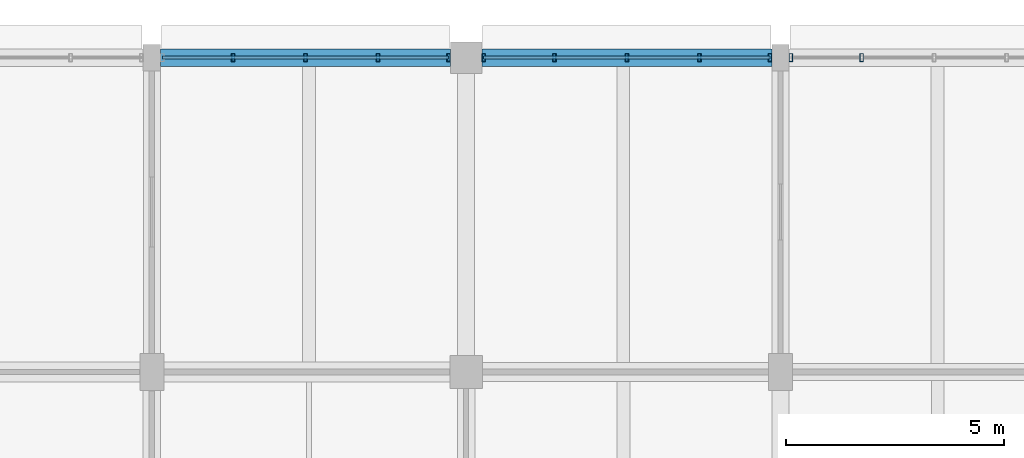
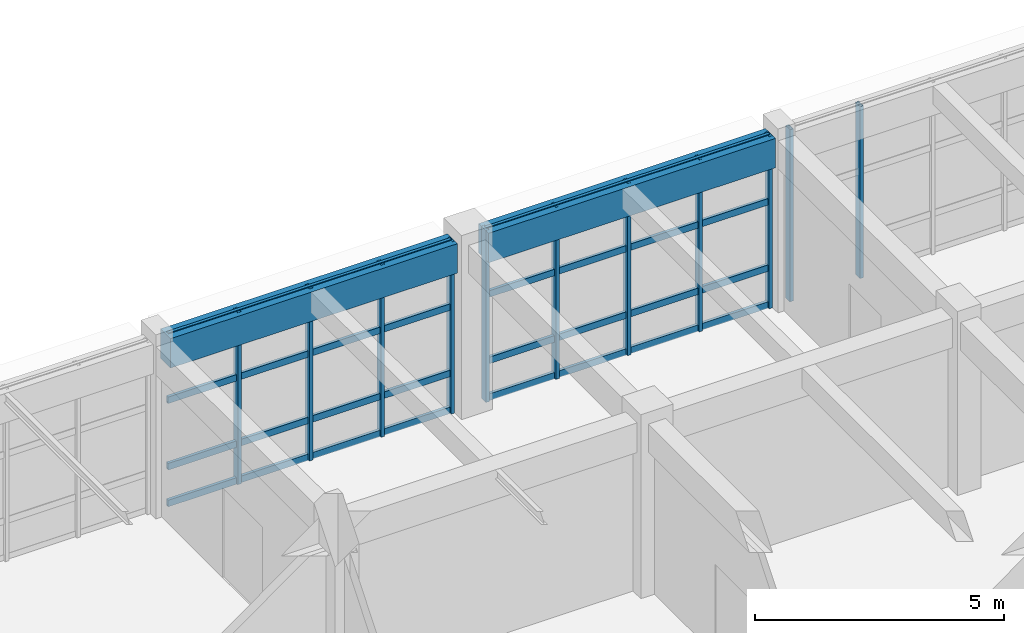
# One storey, part 66 of 171: 19 members, 2 beams, 3 elements without a shape of their own.
"""IFC4 building model written with IfcOpenShell, lengths in metres."""

from ifc_helpers import new_model, si_unit, direction, frame, origin, origin_2d, place, context, subcontext, project, spatial, rectangle, hollow_rectangle, extrude, material, material_profile, profile_set, type_object, element, aggregate, save


model = new_model("IFC4")

# Units and contexts
model_context = context("Model", 3, precision=1e-05, world=origin(), true_north=direction((0.0, 1.0)))
body_context = subcontext(model_context, "Body", "Model", "MODEL_VIEW")
ifc_project = project(units=[si_unit("LENGTHUNIT", "METRE"), si_unit("AREAUNIT", "SQUARE_METRE"), si_unit("VOLUMEUNIT", "CUBIC_METRE"), si_unit("PLANEANGLEUNIT", "RADIAN"), si_unit("MASSUNIT", "GRAM", prefix="KILO")], contexts=[model_context])

# Site, building, storey
site_placement = place(None, origin())
site = spatial("IfcSite", under=ifc_project, at=site_placement, CompositionType="ELEMENT")
building_placement = place(site_placement, origin())
building = spatial("IfcBuilding", under=site, at=building_placement, Name="Thalmaran Polytechnic", CompositionType="ELEMENT")
storey_placement = place(building_placement, frame((0.0, 0.0, 5.39990234375)))
storey = spatial("IfcBuildingStorey", under=building, at=storey_placement, Name="L01", CompositionType="ELEMENT", Elevation=5.39990234375)

# Beams
ifc_material_1 = material(Name="Concrete C40/50", Category="concrete")
ifc_material_profile_1 = material_profile(ifc_material_1, rectangle(XDim=0.39990234375, YDim=0.719970703125, at=origin_2d()), Name="RC 400x720")
ifc_profile_set_1 = profile_set([ifc_material_profile_1], Name="Concrete C40/50")
beam_type = type_object("IfcBeamType", Name="BM-SP01", PredefinedType="SPANDREL", material=ifc_profile_set_1)
beam_1_placement = place(storey_placement, frame((14.60009765625, 122.39990234375, 3.85009765625), z_axis=(1.0, 0.0, 0.0), x_axis=(0.0, 1.0, 0.0)))
element("IfcBeam", 1, at=beam_1_placement, inside=storey, type_object=beam_type, Name="Grid Beam SP01 L01 X(2,17)", PredefinedType="SPANDREL", context=body_context, shape_type="SweptSolid", body=[
    extrude(rectangle(XDim=0.39990234375, YDim=0.719970703125, at=origin_2d()), origin(), (0.0, 0.0, 1.0), 6.639892578125),
])
beam_2_placement = place(storey_placement, frame((21.9599609375, 122.39990234375, 3.85009765625), z_axis=(1.0, 0.0, 0.0), x_axis=(0.0, 1.0, 0.0)))
element("IfcBeam", 2, at=beam_2_placement, inside=storey, type_object=beam_type, Name="Grid Beam SP01 L01 X(3,17)", PredefinedType="SPANDREL", context=body_context, shape_type="SweptSolid", body=[
    extrude(rectangle(XDim=0.39990234375, YDim=0.719970703125, at=origin_2d()), origin(), (0.0, 0.0, 1.0), 6.64013671875),
])

# Curtain wall, members
ifc_material_2 = material(Name="Aluminium 6063-T6", Category="aluminium")
curtain_wall_type = type_object("IfcCurtainWallType", Name="CW-UC02", PredefinedType="USERDEFINED", material=ifc_material_2)
curtain_wall_1_placement = place(storey_placement, origin())
curtain_wall_1 = element("IfcCurtainWall", 3, at=curtain_wall_1_placement, inside=storey, type_object=curtain_wall_type, Name="Curtain Wall CW-L01-081", ObjectType="UNITISED CURTAIN WALL", PredefinedType="USERDEFINED")
ifc_material_profile_2 = material_profile(ifc_material_2, hollow_rectangle(XDim=0.080078125, YDim=0.179931640625, WallThickness=0.0048828125, at=origin_2d()), Name="RHS 180x80x5.0")
ifc_profile_set_2 = profile_set([ifc_material_profile_2], Name="Aluminium 6063-T6")
member_type_1 = type_object("IfcMemberType", Name="CW-MUL1", PredefinedType="MULLION", material=ifc_profile_set_2)
member_1_placement = place(storey_placement, frame((16.260009765625, 122.39990234375, 0.0), z_axis=(0.0, 0.0, 1.0), x_axis=(1.0, 0.0, 0.0)))
member_1 = element("IfcMember", 4, at=member_1_placement, type_object=member_type_1, Name="CW-L01-081 Mullion 2", PredefinedType="MULLION", context=body_context, shape_type="SweptSolid", body=[
    extrude(hollow_rectangle(XDim=0.080078125, YDim=0.179931640625, WallThickness=0.0048828125, at=origin_2d()), origin(), (0.0, 0.0, 1.0), 4.210205078125),
])
member_2_placement = place(storey_placement, frame((17.919921875, 122.39990234375, 0.0), z_axis=(0.0, 0.0, 1.0), x_axis=(1.0, 0.0, 0.0)))
member_2 = element("IfcMember", 5, at=member_2_placement, type_object=member_type_1, Name="CW-L01-081 Mullion 3", PredefinedType="MULLION", context=body_context, shape_type="SweptSolid", body=[
    extrude(hollow_rectangle(XDim=0.080078125, YDim=0.179931640625, WallThickness=0.0048828125, at=origin_2d()), origin(), (0.0, 0.0, 1.0), 4.210205078125),
])
member_3_placement = place(storey_placement, frame((19.580078125, 122.39990234375, 0.0), z_axis=(0.0, 0.0, 1.0), x_axis=(1.0, 0.0, 0.0)))
member_3 = element("IfcMember", 6, at=member_3_placement, type_object=member_type_1, Name="CW-L01-081 Mullion 4", PredefinedType="MULLION", context=body_context, shape_type="SweptSolid", body=[
    extrude(hollow_rectangle(XDim=0.080078125, YDim=0.179931640625, WallThickness=0.0048828125, at=origin_2d()), origin(), (0.0, 0.0, 1.0), 4.210205078125),
])
member_4_placement = place(storey_placement, frame((21.199951171875, 122.39990234375, 0.0), z_axis=(0.0, 0.0, 1.0), x_axis=(1.0, 0.0, 0.0)))
member_4 = element("IfcMember", 7, at=member_4_placement, type_object=member_type_1, Name="CW-L01-081 Mullion 5", PredefinedType="MULLION", context=body_context, shape_type="SweptSolid", body=[
    extrude(hollow_rectangle(XDim=0.080078125, YDim=0.179931640625, WallThickness=0.0048828125, at=origin_2d()), origin(), (0.0, 0.0, 1.0), 4.210205078125),
])

curtain_wall_2_placement = place(storey_placement, origin())
curtain_wall_2 = element("IfcCurtainWall", 8, at=curtain_wall_2_placement, inside=storey, type_object=curtain_wall_type, Name="Curtain Wall CW-L01-082", ObjectType="UNITISED CURTAIN WALL", PredefinedType="USERDEFINED")
member_5_placement = place(storey_placement, frame((22.0, 122.39990234375, 0.0), z_axis=(0.0, 0.0, 1.0), x_axis=(1.0, 0.0, 0.0)))
member_5 = element("IfcMember", 9, at=member_5_placement, type_object=member_type_1, Name="CW-L01-082 Mullion 1", PredefinedType="MULLION", context=body_context, shape_type="SweptSolid", body=[
    extrude(hollow_rectangle(XDim=0.080078125, YDim=0.179931640625, WallThickness=0.0048828125, at=origin_2d()), origin(), (0.0, 0.0, 1.0), 4.210205078125),
])
member_6_placement = place(storey_placement, frame((23.6201171875, 122.39990234375, 0.0), z_axis=(0.0, 0.0, 1.0), x_axis=(1.0, 0.0, 0.0)))
member_6 = element("IfcMember", 10, at=member_6_placement, type_object=member_type_1, Name="CW-L01-082 Mullion 2", PredefinedType="MULLION", context=body_context, shape_type="SweptSolid", body=[
    extrude(hollow_rectangle(XDim=0.080078125, YDim=0.179931640625, WallThickness=0.0048828125, at=origin_2d()), origin(), (0.0, 0.0, 1.0), 4.210205078125),
])
member_7_placement = place(storey_placement, frame((25.280029296875, 122.39990234375, 0.0), z_axis=(0.0, 0.0, 1.0), x_axis=(1.0, 0.0, 0.0)))
member_7 = element("IfcMember", 11, at=member_7_placement, type_object=member_type_1, Name="CW-L01-082 Mullion 3", PredefinedType="MULLION", context=body_context, shape_type="SweptSolid", body=[
    extrude(hollow_rectangle(XDim=0.080078125, YDim=0.179931640625, WallThickness=0.0048828125, at=origin_2d()), origin(), (0.0, 0.0, 1.0), 4.210205078125),
])
member_8_placement = place(storey_placement, frame((26.93994140625, 122.39990234375, 0.0), z_axis=(0.0, 0.0, 1.0), x_axis=(1.0, 0.0, 0.0)))
member_8 = element("IfcMember", 12, at=member_8_placement, type_object=member_type_1, Name="CW-L01-082 Mullion 4", PredefinedType="MULLION", context=body_context, shape_type="SweptSolid", body=[
    extrude(hollow_rectangle(XDim=0.080078125, YDim=0.179931640625, WallThickness=0.0048828125, at=origin_2d()), origin(), (0.0, 0.0, 1.0), 4.210205078125),
])
member_9_placement = place(storey_placement, frame((28.56005859375, 122.39990234375, 0.0), z_axis=(0.0, 0.0, 1.0), x_axis=(1.0, 0.0, 0.0)))
member_9 = element("IfcMember", 13, at=member_9_placement, type_object=member_type_1, Name="CW-L01-082 Mullion 5", PredefinedType="MULLION", context=body_context, shape_type="SweptSolid", body=[
    extrude(hollow_rectangle(XDim=0.080078125, YDim=0.179931640625, WallThickness=0.0048828125, at=origin_2d()), origin(), (0.0, 0.0, 1.0), 4.210205078125),
])

curtain_wall_3_placement = place(storey_placement, origin())
curtain_wall_3 = element("IfcCurtainWall", 14, at=curtain_wall_3_placement, inside=storey, type_object=curtain_wall_type, Name="Curtain Wall CW-L01-083", ObjectType="UNITISED CURTAIN WALL", PredefinedType="USERDEFINED")
member_10_placement = place(storey_placement, frame((29.0400390625, 122.39990234375, 0.0), z_axis=(0.0, 0.0, 1.0), x_axis=(1.0, 0.0, 0.0)))
member_10 = element("IfcMember", 15, at=member_10_placement, type_object=member_type_1, Name="CW-L01-083 Mullion 1", PredefinedType="MULLION", context=body_context, shape_type="SweptSolid", body=[
    extrude(hollow_rectangle(XDim=0.080078125, YDim=0.179931640625, WallThickness=0.0048828125, at=origin_2d()), origin(), (0.0, 0.0, 1.0), 4.210205078125),
])
member_11_placement = place(storey_placement, frame((30.659912109375, 122.39990234375, 0.0), z_axis=(0.0, 0.0, 1.0), x_axis=(1.0, 0.0, 0.0)))
member_11 = element("IfcMember", 16, at=member_11_placement, type_object=member_type_1, Name="CW-L01-083 Mullion 2", PredefinedType="MULLION", context=body_context, shape_type="SweptSolid", body=[
    extrude(hollow_rectangle(XDim=0.080078125, YDim=0.179931640625, WallThickness=0.0048828125, at=origin_2d()), origin(), (0.0, 0.0, 1.0), 4.210205078125),
])
aggregate(curtain_wall_3, [member_10, member_11])

# Member
ifc_material_profile_3 = material_profile(ifc_material_2, hollow_rectangle(XDim=0.070068359375, YDim=0.159912109375, WallThickness=0.00390625, at=origin_2d()), Name="AL 160x70x4.0")
ifc_profile_set_3 = profile_set([ifc_material_profile_3], Name="Aluminium 6063-T6")
member_type_2 = type_object("IfcMemberType", Name="CW-TRN1", PredefinedType="USERDEFINED", material=ifc_profile_set_3)
member_12_placement = place(storey_placement, frame((14.639892578125, 122.39990234375, 0.06005859375), z_axis=(1.0, 0.0, 0.0), x_axis=(0.0, 1.0, 0.0)))
member_12 = element("IfcMember", 17, at=member_12_placement, type_object=member_type_2, Name="CW-L01-081 Transom 1", ObjectType="TRANSOM", PredefinedType="USERDEFINED", context=body_context, shape_type="SweptSolid", body=[
    extrude(hollow_rectangle(XDim=0.070068359375, YDim=0.159912109375, WallThickness=0.00390625, at=origin_2d()), origin(), (0.0, 0.0, 1.0), 6.56005859375),
])

member_13_placement = place(storey_placement, frame((14.639892578125, 122.39990234375, 0.960205078125), z_axis=(1.0, 0.0, 0.0), x_axis=(0.0, 1.0, 0.0)))
member_13 = element("IfcMember", 18, at=member_13_placement, type_object=member_type_2, Name="CW-L01-081 Transom 2", ObjectType="TRANSOM", PredefinedType="USERDEFINED", context=body_context, shape_type="SweptSolid", body=[
    extrude(hollow_rectangle(XDim=0.070068359375, YDim=0.159912109375, WallThickness=0.00390625, at=origin_2d()), origin(), (0.0, 0.0, 1.0), 6.56005859375),
])

member_14_placement = place(storey_placement, frame((14.639892578125, 122.39990234375, 2.585205078125), z_axis=(1.0, 0.0, 0.0), x_axis=(0.0, 1.0, 0.0)))
member_14 = element("IfcMember", 19, at=member_14_placement, type_object=member_type_2, Name="CW-L01-081 Transom 3", ObjectType="TRANSOM", PredefinedType="USERDEFINED", context=body_context, shape_type="SweptSolid", body=[
    extrude(hollow_rectangle(XDim=0.070068359375, YDim=0.159912109375, WallThickness=0.00390625, at=origin_2d()), origin(), (0.0, 0.0, 1.0), 6.56005859375),
])

member_15_placement = place(storey_placement, frame((14.639892578125, 122.39990234375, 4.150146484375), z_axis=(1.0, 0.0, 0.0), x_axis=(0.0, 1.0, 0.0)))
member_15 = element("IfcMember", 20, at=member_15_placement, type_object=member_type_2, Name="CW-L01-081 Transom 4", ObjectType="TRANSOM", PredefinedType="USERDEFINED", context=body_context, shape_type="SweptSolid", body=[
    extrude(hollow_rectangle(XDim=0.070068359375, YDim=0.159912109375, WallThickness=0.00390625, at=origin_2d()), origin(), (0.0, 0.0, 1.0), 6.56005859375),
])

aggregate(curtain_wall_1, [member_1, member_2, member_3, member_4, member_12, member_13, member_14, member_15])

member_16_placement = place(storey_placement, frame((22.0, 122.39990234375, 0.06005859375), z_axis=(1.0, 0.0, 0.0), x_axis=(0.0, 1.0, 0.0)))
member_16 = element("IfcMember", 21, at=member_16_placement, type_object=member_type_2, Name="CW-L01-082 Transom 1", ObjectType="TRANSOM", PredefinedType="USERDEFINED", context=body_context, shape_type="SweptSolid", body=[
    extrude(hollow_rectangle(XDim=0.070068359375, YDim=0.159912109375, WallThickness=0.00390625, at=origin_2d()), origin(), (0.0, 0.0, 1.0), 6.56005859375),
])

member_17_placement = place(storey_placement, frame((22.0, 122.39990234375, 0.960205078125), z_axis=(1.0, 0.0, 0.0), x_axis=(0.0, 1.0, 0.0)))
member_17 = element("IfcMember", 22, at=member_17_placement, type_object=member_type_2, Name="CW-L01-082 Transom 2", ObjectType="TRANSOM", PredefinedType="USERDEFINED", context=body_context, shape_type="SweptSolid", body=[
    extrude(hollow_rectangle(XDim=0.070068359375, YDim=0.159912109375, WallThickness=0.00390625, at=origin_2d()), origin(), (0.0, 0.0, 1.0), 6.56005859375),
])

member_18_placement = place(storey_placement, frame((22.0, 122.39990234375, 2.585205078125), z_axis=(1.0, 0.0, 0.0), x_axis=(0.0, 1.0, 0.0)))
member_18 = element("IfcMember", 23, at=member_18_placement, type_object=member_type_2, Name="CW-L01-082 Transom 3", ObjectType="TRANSOM", PredefinedType="USERDEFINED", context=body_context, shape_type="SweptSolid", body=[
    extrude(hollow_rectangle(XDim=0.070068359375, YDim=0.159912109375, WallThickness=0.00390625, at=origin_2d()), origin(), (0.0, 0.0, 1.0), 6.56005859375),
])

member_19_placement = place(storey_placement, frame((22.0, 122.39990234375, 4.150146484375), z_axis=(1.0, 0.0, 0.0), x_axis=(0.0, 1.0, 0.0)))
member_19 = element("IfcMember", 24, at=member_19_placement, type_object=member_type_2, Name="CW-L01-082 Transom 4", ObjectType="TRANSOM", PredefinedType="USERDEFINED", context=body_context, shape_type="SweptSolid", body=[
    extrude(hollow_rectangle(XDim=0.070068359375, YDim=0.159912109375, WallThickness=0.00390625, at=origin_2d()), origin(), (0.0, 0.0, 1.0), 6.56005859375),
])

aggregate(curtain_wall_2, [member_5, member_6, member_7, member_8, member_9, member_16, member_17, member_18, member_19])

save(model, "model.ifc")
